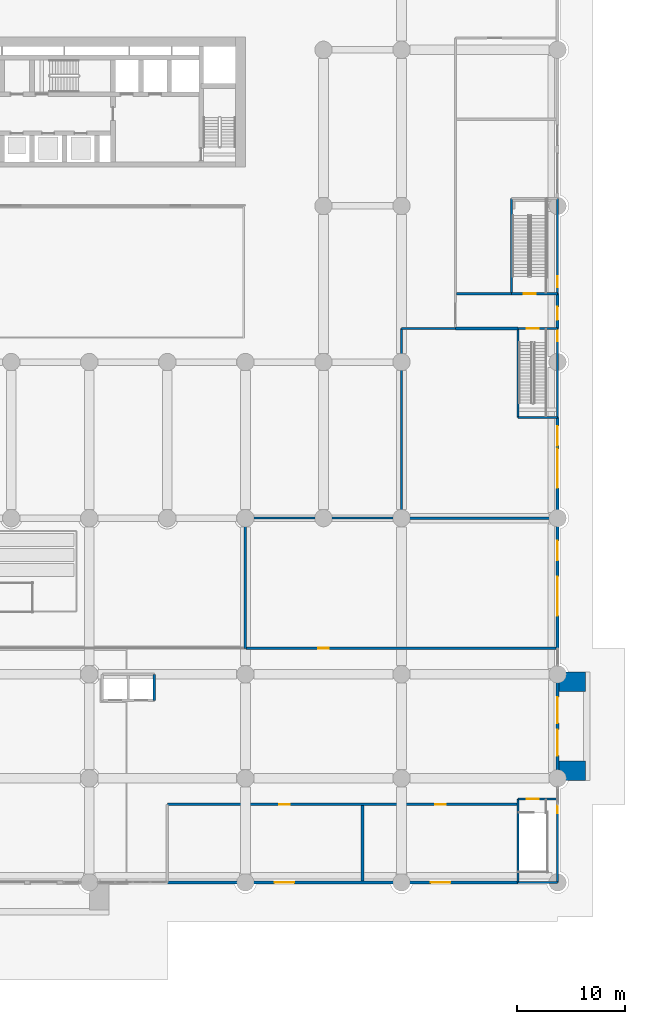
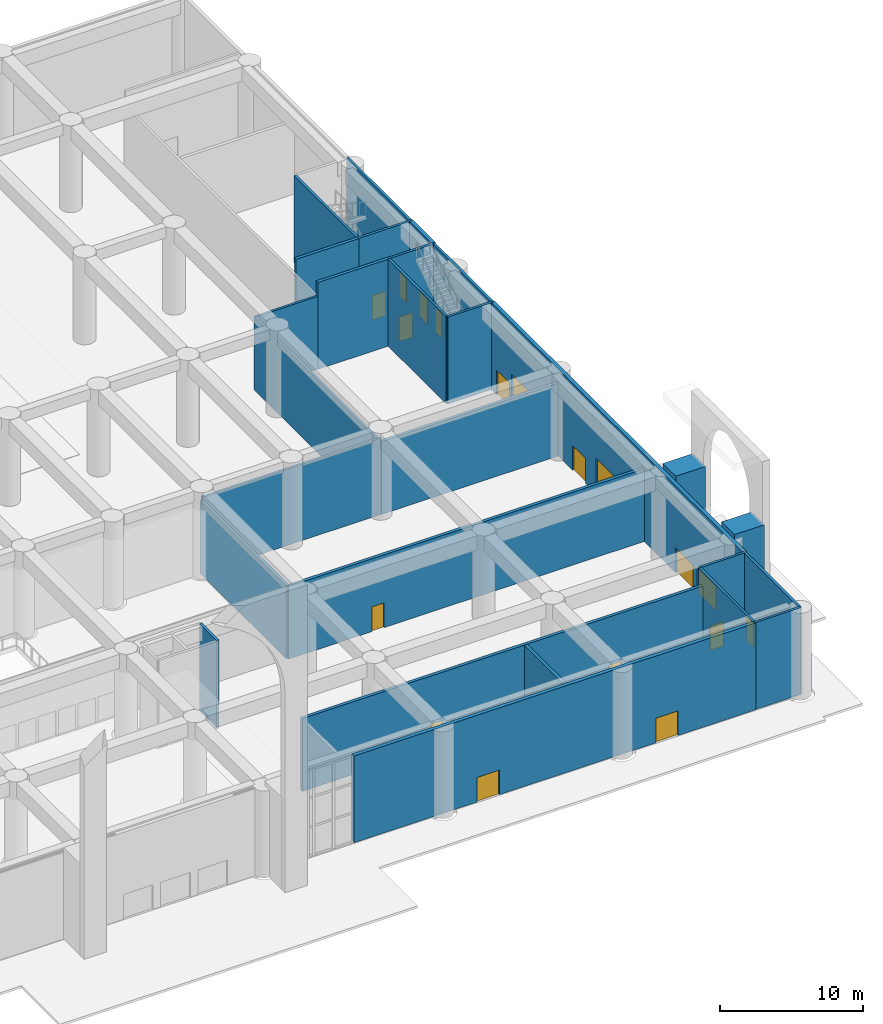
# One storey, part 16 of 32: 27 walls, 18 doors, 18 openings.
"""IFC4 building model written with IfcOpenShell, lengths in metres."""

from ifc_helpers import new_model, si_unit, direction, frame, frame_2d, origin, place, context, subcontext, project, spatial, rectangle, extrude, material, layer, layer_set, type_object, element, fill, save


model = new_model("IFC4")

# Units and contexts
model_context = context("Model", 3, precision=1e-05, world=origin(), true_north=direction((0.0, 1.0)))
body_context = subcontext(model_context, "Body", "Model", "MODEL_VIEW")
ifc_project = project(units=[si_unit("LENGTHUNIT", "METRE"), si_unit("AREAUNIT", "SQUARE_METRE"), si_unit("VOLUMEUNIT", "CUBIC_METRE"), si_unit("PLANEANGLEUNIT", "RADIAN"), si_unit("MASSUNIT", "GRAM", prefix="KILO")], contexts=[model_context])

# Site, building, storey
site_placement = place(None, origin())
site = spatial("IfcSite", under=ifc_project, at=site_placement, CompositionType="ELEMENT")
building_placement = place(site_placement, origin())
building = spatial("IfcBuilding", under=site, at=building_placement, Name="Saffron Iwan Residences", CompositionType="ELEMENT")
storey_placement = place(building_placement, origin())
storey = spatial("IfcBuildingStorey", under=building, at=storey_placement, Name="L00", CompositionType="ELEMENT", Elevation=0.0)

# Walls
ifc_material_1 = material(Name="Concrete blockwork", Category="masonry")
ifc_layer_1 = layer(ifc_material_1, 0.18994140625)
ifc_layer_set_1 = layer_set([ifc_layer_1], Name="Concrete blockwork")
wall_type_1 = type_object("IfcWallType", Name="Car park blockwork wall 190", PredefinedType="PARTITIONING", material=ifc_layer_set_1)
wall_1_placement = place(storey_placement, frame((72.0, 33.60009765625, 0.0), z_axis=(0.0, 0.0, 1.0), x_axis=(1.0, 0.0, 0.0)))
element("IfcWall", 1, at=wall_1_placement, inside=storey, type_object=wall_type_1, Name="W-L00-017", PredefinedType="PARTITIONING", context=body_context, shape_type="SweptSolid", body=[
    extrude(rectangle(XDim=14.39990234375, YDim=0.18994140625, at=frame_2d((7.199951171875, 0.0))), origin(), (0.0, 0.0, 1.0), 6.5),
])
wall_2_placement = place(storey_placement, frame((86.39990234375, 51.10009765625, 0.0), z_axis=(0.0, 0.0, 1.0), x_axis=(1.0, 0.0, 0.0)))
element("IfcWall", 2, at=wall_2_placement, inside=storey, type_object=wall_type_1, Name="W-L00-024", PredefinedType="PARTITIONING", context=body_context, shape_type="SweptSolid", body=[
    extrude(rectangle(XDim=5.0, YDim=0.18994140625, at=frame_2d((2.5, 0.0))), origin(), (0.0, 0.0, 1.0), 6.199951171875),
])
wall_3_placement = place(storey_placement, frame((86.39990234375, 33.60009765625, 0.0), z_axis=(0.0, 0.0, 1.0), x_axis=(0.0, 1.0, 0.0)))
element("IfcWall", 3, at=wall_3_placement, inside=storey, type_object=wall_type_1, Name="W-L00-075", PredefinedType="PARTITIONING", context=body_context, shape_type="SweptSolid", body=[
    extrude(rectangle(XDim=17.5, YDim=0.18994140625, at=frame_2d((8.75, 0.0))), origin(), (0.0, 0.0, 1.0), 6.199951171875),
])

# Wall, openings, doors
ifc_material_2 = material(Name="Concrete C40/50", Category="concrete")
ifc_layer_2 = layer(ifc_material_2, 0.25)
ifc_layer_set_2 = layer_set([ifc_layer_2], Name="Concrete C40/50")
wall_type_2 = type_object("IfcWallType", Name="Fire compartment wall 250", PredefinedType="SOLIDWALL", material=ifc_layer_set_2)
wall_4_placement = place(storey_placement, frame((64.800048828125, 7.199951171875, 0.0), z_axis=(0.0, 0.0, 1.0), x_axis=(1.0, 0.0, 0.0)))
wall_4 = element("IfcWall", 4, at=wall_4_placement, inside=storey, type_object=wall_type_2, Name="W-L00-006", PredefinedType="SOLIDWALL", context=body_context, shape_type="SweptSolid", body=[
    extrude(rectangle(XDim=32.25, YDim=0.25, at=frame_2d((16.125, 0.0))), origin(), (0.0, 0.0, 1.0), 6.199951171875),
])
opening_1_placement = place(wall_4_placement, frame((10.300048828125, 0.0, 0.0)))
opening_1 = element("IfcOpeningElement", 5, at=opening_1_placement, cuts=wall_4, Name="Opening L00.09", PredefinedType="OPENING", context=body_context, shape_type="SweptSolid", body=[
    extrude(rectangle(XDim=1.0, YDim=2.10009765625, at=frame_2d((0.5, 1.050048828125))), frame((0.0, 0.135009765625, 0.0), z_axis=(0.0, -1.0, 0.0), x_axis=(1.0, 0.0, 0.0)), (0.0, 0.0, 1.0), 0.27001953125),
])
opening_2_placement = place(wall_4_placement, frame((24.699951171875, 0.0, 0.0)))
opening_2 = element("IfcOpeningElement", 6, at=opening_2_placement, cuts=wall_4, Name="Opening L00.10", PredefinedType="OPENING", context=body_context, shape_type="SweptSolid", body=[
    extrude(rectangle(XDim=1.0, YDim=2.10009765625, at=frame_2d((0.5, 1.050048828125))), frame((0.0, 0.135009765625, 0.0), z_axis=(0.0, -1.0, 0.0), x_axis=(1.0, 0.0, 0.0)), (0.0, 0.0, 1.0), 0.27001953125),
])
ifc_material_3 = material(Name="Steel", Category="steel")
door_type_1 = type_object("IfcDoorType", Name="Fire door 1000x2100", OperationType="NOTDEFINED", PredefinedType="DOOR", material=ifc_material_3)
door_1_placement = place(opening_1_placement, origin())
door_1 = element("IfcDoor", 7, at=door_1_placement, inside=storey, type_object=door_type_1, Name="D-L00-009", OperationType="SINGLE_SWING_LEFT", OverallHeight=2.10009765625, OverallWidth=1.0, PredefinedType="DOOR", context=body_context, shape_type="SweptSolid", body=[
    extrude(rectangle(XDim=1.0, YDim=2.10009765625, at=frame_2d((0.5, 1.050048828125))), frame((0.0, 0.02490234375, 0.0), z_axis=(0.0, -1.0, 0.0), x_axis=(1.0, 0.0, 0.0)), (0.0, 0.0, 1.0), 0.050048828125),
])
fill(opening_1, door_1)
door_2_placement = place(opening_2_placement, origin())
door_2 = element("IfcDoor", 8, at=door_2_placement, inside=storey, type_object=door_type_1, Name="D-L00-010", OperationType="SINGLE_SWING_RIGHT", OverallHeight=2.10009765625, OverallWidth=1.0, PredefinedType="DOOR", context=body_context, shape_type="SweptSolid", body=[
    extrude(rectangle(XDim=1.0, YDim=2.10009765625, at=frame_2d((0.5, 1.050048828125))), frame((0.0, 0.02490234375, 0.0), z_axis=(0.0, -1.0, 0.0), x_axis=(1.0, 0.0, 0.0)), (0.0, 0.0, 1.0), 0.050048828125),
])
fill(opening_2, door_2)

# Wall, opening, door
wall_5_placement = place(storey_placement, frame((72.0, 21.60009765625, 0.0), z_axis=(0.0, 0.0, 1.0), x_axis=(1.0, 0.0, 0.0)))
wall_5 = element("IfcWall", 9, at=wall_5_placement, inside=storey, type_object=wall_type_2, Name="W-L00-013", PredefinedType="SOLIDWALL", context=body_context, shape_type="SweptSolid", body=[
    extrude(rectangle(XDim=28.64990234375, YDim=0.25, at=frame_2d((14.324951171875, 0.0))), origin(), (0.0, 0.0, 1.0), 6.199951171875),
])
opening_3_placement = place(wall_5_placement, frame((6.699951171875, 0.0, 0.0)))
opening_3 = element("IfcOpeningElement", 10, at=opening_3_placement, cuts=wall_5, Name="Opening L00.12", PredefinedType="OPENING", context=body_context, shape_type="SweptSolid", body=[
    extrude(rectangle(XDim=1.0, YDim=2.10009765625, at=frame_2d((0.5, 1.050048828125))), frame((0.0, 0.135009765625, 0.0), z_axis=(0.0, -1.0, 0.0), x_axis=(1.0, 0.0, 0.0)), (0.0, 0.0, 1.0), 0.27001953125),
])
door_3_placement = place(opening_3_placement, origin())
door_3 = element("IfcDoor", 11, at=door_3_placement, inside=storey, type_object=door_type_1, Name="D-L00-012", OperationType="SINGLE_SWING_LEFT", OverallHeight=2.10009765625, OverallWidth=1.0, PredefinedType="DOOR", context=body_context, shape_type="SweptSolid", body=[
    extrude(rectangle(XDim=1.0, YDim=2.10009765625, at=frame_2d((0.5, 1.050048828125))), frame((0.0, 0.02490234375, 0.0), z_axis=(0.0, -1.0, 0.0), x_axis=(1.0, 0.0, 0.0)), (0.0, 0.0, 1.0), 0.050048828125),
])
fill(opening_3, door_3)

# Walls
wall_6_placement = place(storey_placement, frame((86.39990234375, 33.60009765625, 0.0), z_axis=(0.0, 0.0, 1.0), x_axis=(1.0, 0.0, 0.0)))
element("IfcWall", 12, at=wall_6_placement, inside=storey, type_object=wall_type_2, Name="W-L00-019", PredefinedType="SOLIDWALL", context=body_context, shape_type="SweptSolid", body=[
    extrude(rectangle(XDim=14.25, YDim=0.25, at=frame_2d((7.125, 0.0))), origin(), (0.0, 0.0, 1.0), 6.199951171875),
])
wall_7_placement = place(storey_placement, frame((91.39990234375, 51.10009765625, 0.0), z_axis=(0.0, 0.0, 1.0), x_axis=(1.0, 0.0, 0.0)))
element("IfcWall", 13, at=wall_7_placement, inside=storey, type_object=wall_type_2, Name="W-L00-026", PredefinedType="SOLIDWALL", context=body_context, shape_type="SweptSolid", body=[
    extrude(rectangle(XDim=5.75, YDim=0.25, at=frame_2d((2.875, 0.0))), origin(), (0.0, 0.0, 1.0), 7.39990234375),
])
wall_8_placement = place(storey_placement, frame((91.4951171875, 54.300048828125, 0.0), z_axis=(0.0, 0.0, 1.0), x_axis=(1.0, 0.0, 0.0)))
element("IfcWall", 14, at=wall_8_placement, inside=storey, type_object=wall_type_2, Name="W-L00-031", PredefinedType="SOLIDWALL", context=body_context, shape_type="SweptSolid", body=[
    extrude(rectangle(XDim=5.054931640625, YDim=0.25, at=frame_2d((2.52734375, 0.0))), origin(), (0.0, 0.0, 1.0), 7.39990234375),
])
wall_9_placement = place(storey_placement, frame((72.0, 21.60009765625, 0.0), z_axis=(0.0, 0.0, 1.0), x_axis=(0.0, 1.0, 0.0)))
element("IfcWall", 15, at=wall_9_placement, inside=storey, type_object=wall_type_2, Name="W-L00-073", PredefinedType="SOLIDWALL", context=body_context, shape_type="SweptSolid", body=[
    extrude(rectangle(XDim=12.0, YDim=0.25, at=frame_2d((6.0, 0.0))), origin(), (0.0, 0.0, 1.0), 6.199951171875),
])
wall_10_placement = place(storey_placement, frame((82.800048828125, 0.14990234375, 0.0), z_axis=(0.0, 0.0, 1.0), x_axis=(0.0, 1.0, 0.0)))
element("IfcWall", 16, at=wall_10_placement, inside=storey, type_object=wall_type_2, Name="W-L00-074", PredefinedType="SOLIDWALL", context=body_context, shape_type="SweptSolid", body=[
    extrude(rectangle(XDim=6.925048828125, YDim=0.25, at=frame_2d((3.46240234375, 0.0))), origin(), (0.0, 0.0, 1.0), 6.199951171875),
])

# Wall, openings, doors
ifc_material_4 = material(Name="Precast concrete C40/50", Category="concrete")
ifc_layer_3 = layer(ifc_material_4, 0.300048828125)
ifc_layer_set_3 = layer_set([ifc_layer_3], Name="Precast concrete C40/50")
wall_type_3 = type_object("IfcWallType", Name="Podium external wall 300", PredefinedType="SOLIDWALL", material=ifc_layer_set_3)
wall_11_placement = place(storey_placement, frame((97.14990234375, 0.0, 0.0), z_axis=(0.0, 0.0, 1.0), x_axis=(-1.0, 0.0, 0.0)))
wall_11 = element("IfcWall", 17, at=wall_11_placement, inside=storey, type_object=wall_type_3, Name="W-L00-002", PredefinedType="SOLIDWALL", context=body_context, shape_type="SweptSolid", body=[
    extrude(rectangle(XDim=32.349853515625, YDim=0.300048828125, at=frame_2d((16.1748046875, 0.0))), origin(), (0.0, 0.0, 1.0), 7.39990234375),
])
opening_4_placement = place(wall_11_placement, frame((20.64990234375, 0.0, 0.0)))
opening_4 = element("IfcOpeningElement", 18, at=opening_4_placement, cuts=wall_11, Name="Opening L00.41", PredefinedType="OPENING", context=body_context, shape_type="SweptSolid", body=[
    extrude(rectangle(XDim=1.800048828125, YDim=2.10009765625, at=frame_2d((0.89990234375, 1.050048828125))), frame((0.0, 0.16015625, 0.0), z_axis=(0.0, -1.0, 0.0), x_axis=(1.0, 0.0, 0.0)), (0.0, 0.0, 1.0), 0.320068359375),
])
opening_5_placement = place(wall_11_placement, frame((6.25, 0.0, 0.0)))
opening_5 = element("IfcOpeningElement", 19, at=opening_5_placement, cuts=wall_11, Name="Opening L00.42", PredefinedType="OPENING", context=body_context, shape_type="SweptSolid", body=[
    extrude(rectangle(XDim=1.800048828125, YDim=2.10009765625, at=frame_2d((0.89990234375, 1.050048828125))), frame((0.0, 0.16015625, 0.0), z_axis=(0.0, -1.0, 0.0), x_axis=(1.0, 0.0, 0.0)), (0.0, 0.0, 1.0), 0.320068359375),
])
ifc_material_5 = material(Name="Glass", Category="glass")
door_type_2 = type_object("IfcDoorType", Name="Glazed entrance door 1800", OperationType="DOUBLE_DOOR_SINGLE_SWING", PredefinedType="DOOR", material=ifc_material_5)
door_4_placement = place(opening_4_placement, origin())
door_4 = element("IfcDoor", 20, at=door_4_placement, inside=storey, type_object=door_type_2, Name="D-L00-041", OperationType="DOUBLE_DOOR_SINGLE_SWING", OverallHeight=2.10009765625, OverallWidth=1.800048828125, PredefinedType="DOOR", context=body_context, shape_type="SweptSolid", body=[
    extrude(rectangle(XDim=1.800048828125, YDim=2.10009765625, at=frame_2d((0.89990234375, 1.050048828125))), frame((0.0, 0.02490234375, 0.0), z_axis=(0.0, -1.0, 0.0), x_axis=(1.0, 0.0, 0.0)), (0.0, 0.0, 1.0), 0.050048828125),
])
fill(opening_4, door_4)
door_5_placement = place(opening_5_placement, origin())
door_5 = element("IfcDoor", 21, at=door_5_placement, inside=storey, type_object=door_type_2, Name="D-L00-042", OperationType="DOUBLE_DOOR_SINGLE_SWING", OverallHeight=2.10009765625, OverallWidth=1.800048828125, PredefinedType="DOOR", context=body_context, shape_type="SweptSolid", body=[
    extrude(rectangle(XDim=1.800048828125, YDim=2.10009765625, at=frame_2d((0.89990234375, 1.050048828125))), frame((0.0, 0.02490234375, 0.0), z_axis=(0.0, -1.0, 0.0), x_axis=(1.0, 0.0, 0.0)), (0.0, 0.0, 1.0), 0.050048828125),
])
fill(opening_5, door_5)

wall_12_placement = place(storey_placement, frame((100.800048828125, 42.89990234375, 0.0), z_axis=(0.0, 0.0, 1.0), x_axis=(0.0, -1.0, 0.0)))
wall_12 = element("IfcWall", 22, at=wall_12_placement, inside=storey, type_object=wall_type_3, Name="W-L00-080", PredefinedType="SOLIDWALL", context=body_context, shape_type="SweptSolid", body=[
    extrude(rectangle(XDim=35.199951171875, YDim=0.300048828125, at=frame_2d((17.60009765625, 0.0))), origin(), (0.0, 0.0, 1.0), 7.39990234375),
])
opening_6_placement = place(wall_12_placement, frame((14.699951171875, 0.0, 0.0)))
opening_6 = element("IfcOpeningElement", 23, at=opening_6_placement, cuts=wall_12, Name="Opening L00.45", PredefinedType="OPENING", context=body_context, shape_type="SweptSolid", body=[
    extrude(rectangle(XDim=3.60009765625, YDim=3.0, at=frame_2d((1.800048828125, 1.5))), frame((0.0, 0.16015625, 0.0), z_axis=(0.0, -1.0, 0.0), x_axis=(1.0, 0.0, 0.0)), (0.0, 0.0, 1.0), 0.320068359375),
])
opening_7_placement = place(wall_12_placement, frame((11.39990234375, 0.0, 0.0)))
opening_7 = element("IfcOpeningElement", 24, at=opening_7_placement, cuts=wall_12, Name="Opening L00.46", PredefinedType="OPENING", context=body_context, shape_type="SweptSolid", body=[
    extrude(rectangle(XDim=1.800048828125, YDim=2.10009765625, at=frame_2d((0.89990234375, 1.050048828125))), frame((0.0, 0.16015625, 0.0), z_axis=(0.0, -1.0, 0.0), x_axis=(1.0, 0.0, 0.0)), (0.0, 0.0, 1.0), 0.320068359375),
])
opening_8_placement = place(wall_12_placement, frame((28.800048828125, 0.0, 0.0)))
opening_8 = element("IfcOpeningElement", 25, at=opening_8_placement, cuts=wall_12, Name="Opening L00.51", PredefinedType="OPENING", context=body_context, shape_type="SweptSolid", body=[
    extrude(rectangle(XDim=2.39990234375, YDim=2.10009765625, at=frame_2d((1.199951171875, 1.050048828125))), frame((0.0, 0.16015625, 0.0), z_axis=(0.0, -1.0, 0.0), x_axis=(1.0, 0.0, 0.0)), (0.0, 0.0, 1.0), 0.320068359375),
])
opening_9_placement = place(wall_12_placement, frame((25.800048828125, 0.0, 0.0)))
opening_9 = element("IfcOpeningElement", 26, at=opening_9_placement, cuts=wall_12, Name="Opening L00.53", PredefinedType="OPENING", context=body_context, shape_type="SweptSolid", body=[
    extrude(rectangle(XDim=2.39990234375, YDim=2.10009765625, at=frame_2d((1.199951171875, 1.050048828125))), frame((0.0, 0.16015625, 0.0), z_axis=(0.0, -1.0, 0.0), x_axis=(1.0, 0.0, 0.0)), (0.0, 0.0, 1.0), 0.320068359375),
])
opening_10_placement = place(wall_12_placement, frame((2.89990234375, 0.0, 0.0)))
opening_10 = element("IfcOpeningElement", 27, at=opening_10_placement, cuts=wall_12, Name="Opening L00.56", PredefinedType="OPENING", context=body_context, shape_type="SweptSolid", body=[
    extrude(rectangle(XDim=3.60009765625, YDim=3.0, at=frame_2d((1.800048828125, 1.5))), frame((0.0, 0.16015625, 0.0), z_axis=(0.0, -1.0, 0.0), x_axis=(1.0, 0.0, 0.0)), (0.0, 0.0, 1.0), 0.320068359375),
])
opening_11_placement = place(wall_12_placement, frame((0.800048828125, 0.0, 0.0)))
opening_11 = element("IfcOpeningElement", 28, at=opening_11_placement, cuts=wall_12, Name="Opening L00.57", PredefinedType="OPENING", context=body_context, shape_type="SweptSolid", body=[
    extrude(rectangle(XDim=1.800048828125, YDim=2.10009765625, at=frame_2d((0.89990234375, 1.050048828125))), frame((0.0, 0.16015625, 0.0), z_axis=(0.0, -1.0, 0.0), x_axis=(1.0, 0.0, 0.0)), (0.0, 0.0, 1.0), 0.320068359375),
])
door_6_placement = place(opening_7_placement, origin())
door_6 = element("IfcDoor", 29, at=door_6_placement, inside=storey, type_object=door_type_2, Name="D-L00-046", OperationType="DOUBLE_DOOR_SINGLE_SWING", OverallHeight=2.10009765625, OverallWidth=1.800048828125, PredefinedType="DOOR", context=body_context, shape_type="SweptSolid", body=[
    extrude(rectangle(XDim=1.800048828125, YDim=2.10009765625, at=frame_2d((0.89990234375, 1.050048828125))), frame((0.0, 0.02490234375, 0.0), z_axis=(0.0, -1.0, 0.0), x_axis=(1.0, 0.0, 0.0)), (0.0, 0.0, 1.0), 0.050048828125),
])
fill(opening_7, door_6)
door_7_placement = place(opening_11_placement, origin())
door_7 = element("IfcDoor", 30, at=door_7_placement, inside=storey, type_object=door_type_2, Name="D-L00-057", OperationType="DOUBLE_DOOR_SINGLE_SWING", OverallHeight=2.10009765625, OverallWidth=1.800048828125, PredefinedType="DOOR", context=body_context, shape_type="SweptSolid", body=[
    extrude(rectangle(XDim=1.800048828125, YDim=2.10009765625, at=frame_2d((0.89990234375, 1.050048828125))), frame((0.0, 0.02490234375, 0.0), z_axis=(0.0, -1.0, 0.0), x_axis=(1.0, 0.0, 0.0)), (0.0, 0.0, 1.0), 0.050048828125),
])
fill(opening_11, door_7)
door_type_3 = type_object("IfcDoorType", Name="Glazed entrance door 2400", OperationType="DOUBLE_DOOR_SINGLE_SWING", PredefinedType="DOOR", material=ifc_material_5)
door_8_placement = place(opening_8_placement, origin())
door_8 = element("IfcDoor", 31, at=door_8_placement, inside=storey, type_object=door_type_3, Name="D-L00-051", OperationType="DOUBLE_DOOR_SINGLE_SWING", OverallHeight=2.10009765625, OverallWidth=2.39990234375, PredefinedType="DOOR", context=body_context, shape_type="SweptSolid", body=[
    extrude(rectangle(XDim=2.39990234375, YDim=2.10009765625, at=frame_2d((1.199951171875, 1.050048828125))), frame((0.0, 0.02490234375, 0.0), z_axis=(0.0, -1.0, 0.0), x_axis=(1.0, 0.0, 0.0)), (0.0, 0.0, 1.0), 0.050048828125),
])
fill(opening_8, door_8)
door_9_placement = place(opening_9_placement, origin())
door_9 = element("IfcDoor", 32, at=door_9_placement, inside=storey, type_object=door_type_3, Name="D-L00-053", OperationType="DOUBLE_DOOR_SINGLE_SWING", OverallHeight=2.10009765625, OverallWidth=2.39990234375, PredefinedType="DOOR", context=body_context, shape_type="SweptSolid", body=[
    extrude(rectangle(XDim=2.39990234375, YDim=2.10009765625, at=frame_2d((1.199951171875, 1.050048828125))), frame((0.0, 0.02490234375, 0.0), z_axis=(0.0, -1.0, 0.0), x_axis=(1.0, 0.0, 0.0)), (0.0, 0.0, 1.0), 0.050048828125),
])
fill(opening_9, door_9)
door_type_4 = type_object("IfcDoorType", Name="Roller shutter 3600x3000", OperationType="ROLLINGUP", PredefinedType="DOOR", material=ifc_material_3)
door_10_placement = place(opening_6_placement, origin())
door_10 = element("IfcDoor", 33, at=door_10_placement, inside=storey, type_object=door_type_4, Name="D-L00-045", OperationType="SINGLE_SWING_RIGHT", OverallHeight=3.0, OverallWidth=3.60009765625, PredefinedType="DOOR", context=body_context, shape_type="SweptSolid", body=[
    extrude(rectangle(XDim=3.60009765625, YDim=3.0, at=frame_2d((1.800048828125, 1.5))), frame((0.0, 0.02490234375, 0.0), z_axis=(0.0, -1.0, 0.0), x_axis=(1.0, 0.0, 0.0)), (0.0, 0.0, 1.0), 0.050048828125),
])
fill(opening_6, door_10)
door_11_placement = place(opening_10_placement, origin())
door_11 = element("IfcDoor", 34, at=door_11_placement, inside=storey, type_object=door_type_4, Name="D-L00-056", OperationType="SINGLE_SWING_RIGHT", OverallHeight=3.0, OverallWidth=3.60009765625, PredefinedType="DOOR", context=body_context, shape_type="SweptSolid", body=[
    extrude(rectangle(XDim=3.60009765625, YDim=3.0, at=frame_2d((1.800048828125, 1.5))), frame((0.0, 0.02490234375, 0.0), z_axis=(0.0, -1.0, 0.0), x_axis=(1.0, 0.0, 0.0)), (0.0, 0.0, 1.0), 0.050048828125),
])
fill(opening_10, door_11)

# Wall, opening, door
wall_13_placement = place(storey_placement, frame((100.800048828125, 54.300048828125, 0.0), z_axis=(0.0, 0.0, 1.0), x_axis=(0.0, -1.0, 0.0)))
wall_13 = element("IfcWall", 35, at=wall_13_placement, inside=storey, type_object=wall_type_3, Name="W-L00-081", PredefinedType="SOLIDWALL", context=body_context, shape_type="SweptSolid", body=[
    extrude(rectangle(XDim=3.199951171875, YDim=0.300048828125, at=frame_2d((1.60009765625, 0.0))), origin(), (0.0, 0.0, 1.0), 7.39990234375),
])
opening_12_placement = place(wall_13_placement, frame((1.199951171875, 0.0, 0.0)))
opening_12 = element("IfcOpeningElement", 36, at=opening_12_placement, cuts=wall_13, Name="Opening L00.59", PredefinedType="OPENING", context=body_context, shape_type="SweptSolid", body=[
    extrude(rectangle(XDim=1.199951171875, YDim=2.10009765625, at=frame_2d((0.60009765625, 1.050048828125))), frame((0.0, 0.16015625, 0.0), z_axis=(0.0, -1.0, 0.0), x_axis=(1.0, 0.0, 0.0)), (0.0, 0.0, 1.0), 0.320068359375),
])
ifc_material_6 = material(Name="Timber", Category="wood")
door_type_5 = type_object("IfcDoorType", Name="Door 1200x2100", OperationType="NOTDEFINED", PredefinedType="DOOR", material=ifc_material_6)
door_12_placement = place(opening_12_placement, origin())
door_12 = element("IfcDoor", 37, at=door_12_placement, inside=storey, type_object=door_type_5, Name="D-L00-059", OperationType="SINGLE_SWING_RIGHT", OverallHeight=2.10009765625, OverallWidth=1.199951171875, PredefinedType="DOOR", context=body_context, shape_type="SweptSolid", body=[
    extrude(rectangle(XDim=1.199951171875, YDim=2.10009765625, at=frame_2d((0.60009765625, 1.050048828125))), frame((0.0, 0.02490234375, 0.0), z_axis=(0.0, -1.0, 0.0), x_axis=(1.0, 0.0, 0.0)), (0.0, 0.0, 1.0), 0.050048828125),
])
fill(opening_12, door_12)

# Walls
ifc_material_7 = material(Name="Terracotta coloured precast concrete C40/50", Category="masonry")
ifc_layer_4 = layer(ifc_material_7, 1.800048828125)
ifc_layer_set_4 = layer_set([ifc_layer_4], Name="Terracotta coloured precast concrete C40/50")
wall_type_4 = type_object("IfcWallType", Name="Portal pier, precast concrete 1800", PredefinedType="SOLIDWALL", material=ifc_layer_set_4)
for number, where, z_axis, x_axis, name in (
    (38, (100.949951171875, 10.300048828125, 0.0), (0.0, 0.0, 1.0), (1.0, 0.0, 0.0), "Portal pier E end S L00"),
    (39, (100.949951171875, 18.5, 0.0), (0.0, 0.0, 1.0), (1.0, 0.0, 0.0), "Portal pier E end N L00"),
):
    element("IfcWall", number, at=place(storey_placement, frame(where, z_axis=z_axis, x_axis=x_axis)), inside=storey, type_object=wall_type_4, Name=name, PredefinedType="SOLIDWALL", context=body_context, shape_type="SweptSolid", body=[
        extrude(rectangle(XDim=2.400146484375, YDim=1.800048828125, at=frame_2d((1.2001953125, 0.0))), origin(), (0.0, 0.0, 1.0), 7.800048828125),
    ])
ifc_layer_5 = layer(ifc_material_2, 0.199951171875)
ifc_layer_set_5 = layer_set([ifc_layer_5], Name="Concrete C40/50")
wall_type_5 = type_object("IfcWallType", Name="Reinforced concrete stair wall 200", PredefinedType="SOLIDWALL", material=ifc_layer_set_5)
wall_14_placement = place(storey_placement, frame((97.14990234375, 0.0, 0.0), z_axis=(0.0, 0.0, 1.0), x_axis=(1.0, 0.0, 0.0)))
element("IfcWall", 40, at=wall_14_placement, inside=storey, type_object=wall_type_5, Name="W-L00-004", PredefinedType="SOLIDWALL", context=body_context, shape_type="SweptSolid", body=[
    extrude(rectangle(XDim=3.650146484375, YDim=0.199951171875, at=frame_2d((1.8251953125, 0.0))), origin(), (0.0, 0.0, 1.0), 7.39990234375),
])

# Wall, opening, door
wall_15_placement = place(storey_placement, frame((97.14990234375, 7.699951171875, 0.0), z_axis=(0.0, 0.0, 1.0), x_axis=(1.0, 0.0, 0.0)))
wall_15 = element("IfcWall", 41, at=wall_15_placement, inside=storey, type_object=wall_type_5, Name="W-L00-008", PredefinedType="SOLIDWALL", context=body_context, shape_type="SweptSolid", body=[
    extrude(rectangle(XDim=3.650146484375, YDim=0.199951171875, at=frame_2d((1.8251953125, 0.0))), origin(), (0.0, 0.0, 1.0), 7.39990234375),
])
opening_13_placement = place(wall_15_placement, frame((0.824951171875, 0.0, 0.0)))
opening_13 = element("IfcOpeningElement", 42, at=opening_13_placement, cuts=wall_15, Name="Opening L00.34", PredefinedType="OPENING", context=body_context, shape_type="SweptSolid", body=[
    extrude(rectangle(XDim=1.10009765625, YDim=2.10009765625, at=frame_2d((0.550048828125, 1.050048828125))), frame((0.0, 0.10986328125, 0.0), z_axis=(0.0, -1.0, 0.0), x_axis=(1.0, 0.0, 0.0)), (0.0, 0.0, 1.0), 0.219970703125),
])
door_type_6 = type_object("IfcDoorType", Name="Fire door 1100x2100", OperationType="NOTDEFINED", PredefinedType="DOOR", material=ifc_material_3)
door_13_placement = place(opening_13_placement, origin())
door_13 = element("IfcDoor", 43, at=door_13_placement, inside=storey, type_object=door_type_6, Name="D-L00-034", OperationType="SINGLE_SWING_LEFT", OverallHeight=2.10009765625, OverallWidth=1.10009765625, PredefinedType="DOOR", context=body_context, shape_type="SweptSolid", body=[
    extrude(rectangle(XDim=1.10009765625, YDim=2.10009765625, at=frame_2d((0.550048828125, 1.050048828125))), frame((0.0, 0.02490234375, 0.0), z_axis=(0.0, -1.0, 0.0), x_axis=(1.0, 0.0, 0.0)), (0.0, 0.0, 1.0), 0.050048828125),
])
fill(opening_13, door_13)

# Wall
wall_16_placement = place(storey_placement, frame((97.14990234375, 42.89990234375, 0.0), z_axis=(0.0, 0.0, 1.0), x_axis=(1.0, 0.0, 0.0)))
element("IfcWall", 44, at=wall_16_placement, inside=storey, type_object=wall_type_5, Name="W-L00-022", PredefinedType="SOLIDWALL", context=body_context, shape_type="SweptSolid", body=[
    extrude(rectangle(XDim=3.650146484375, YDim=0.199951171875, at=frame_2d((1.8251953125, 0.0))), origin(), (0.0, 0.0, 1.0), 7.39990234375),
])

# Wall, opening, door
wall_17_placement = place(storey_placement, frame((97.14990234375, 51.10009765625, 0.0), z_axis=(0.0, 0.0, 1.0), x_axis=(1.0, 0.0, 0.0)))
wall_17 = element("IfcWall", 45, at=wall_17_placement, inside=storey, type_object=wall_type_5, Name="W-L00-028", PredefinedType="SOLIDWALL", context=body_context, shape_type="SweptSolid", body=[
    extrude(rectangle(XDim=3.650146484375, YDim=0.199951171875, at=frame_2d((1.8251953125, 0.0))), origin(), (0.0, 0.0, 1.0), 7.39990234375),
])
opening_14_placement = place(wall_17_placement, frame((0.824951171875, 0.0, 0.0)))
opening_14 = element("IfcOpeningElement", 46, at=opening_14_placement, cuts=wall_17, Name="Opening L00.36", PredefinedType="OPENING", context=body_context, shape_type="SweptSolid", body=[
    extrude(rectangle(XDim=1.10009765625, YDim=2.10009765625, at=frame_2d((0.550048828125, 1.050048828125))), frame((0.0, 0.10986328125, 0.0), z_axis=(0.0, -1.0, 0.0), x_axis=(1.0, 0.0, 0.0)), (0.0, 0.0, 1.0), 0.219970703125),
])
door_14_placement = place(opening_14_placement, origin())
door_14 = element("IfcDoor", 47, at=door_14_placement, inside=storey, type_object=door_type_6, Name="D-L00-036", OperationType="SINGLE_SWING_LEFT", OverallHeight=2.10009765625, OverallWidth=1.10009765625, PredefinedType="DOOR", context=body_context, shape_type="SweptSolid", body=[
    extrude(rectangle(XDim=1.10009765625, YDim=2.10009765625, at=frame_2d((0.550048828125, 1.050048828125))), frame((0.0, 0.02490234375, 0.0), z_axis=(0.0, -1.0, 0.0), x_axis=(1.0, 0.0, 0.0)), (0.0, 0.0, 1.0), 0.050048828125),
])
fill(opening_14, door_14)

wall_18_placement = place(storey_placement, frame((96.550048828125, 54.300048828125, 0.0), z_axis=(0.0, 0.0, 1.0), x_axis=(1.0, 0.0, 0.0)))
wall_18 = element("IfcWall", 48, at=wall_18_placement, inside=storey, type_object=wall_type_5, Name="W-L00-033", PredefinedType="SOLIDWALL", context=body_context, shape_type="SweptSolid", body=[
    extrude(rectangle(XDim=4.25, YDim=0.199951171875, at=frame_2d((2.125, 0.0))), origin(), (0.0, 0.0, 1.0), 7.39990234375),
])
opening_15_placement = place(wall_18_placement, frame((1.125, 0.0, 0.0)))
opening_15 = element("IfcOpeningElement", 49, at=opening_15_placement, cuts=wall_18, Name="Opening L00.38", PredefinedType="OPENING", context=body_context, shape_type="SweptSolid", body=[
    extrude(rectangle(XDim=1.10009765625, YDim=2.10009765625, at=frame_2d((0.550048828125, 1.050048828125))), frame((0.0, 0.10986328125, 0.0), z_axis=(0.0, -1.0, 0.0), x_axis=(1.0, 0.0, 0.0)), (0.0, 0.0, 1.0), 0.219970703125),
])
door_15_placement = place(opening_15_placement, origin())
door_15 = element("IfcDoor", 50, at=door_15_placement, inside=storey, type_object=door_type_6, Name="D-L00-038", OperationType="SINGLE_SWING_LEFT", OverallHeight=2.10009765625, OverallWidth=1.10009765625, PredefinedType="DOOR", context=body_context, shape_type="SweptSolid", body=[
    extrude(rectangle(XDim=1.10009765625, YDim=2.10009765625, at=frame_2d((0.550048828125, 1.050048828125))), frame((0.0, 0.02490234375, 0.0), z_axis=(0.0, -1.0, 0.0), x_axis=(1.0, 0.0, 0.0)), (0.0, 0.0, 1.0), 0.050048828125),
])
fill(opening_15, door_15)

# Walls
wall_19_placement = place(storey_placement, frame((63.60009765625, 16.800048828125, 0.0), z_axis=(0.0, 0.0, 1.0), x_axis=(0.0, 1.0, 0.0)))
element("IfcWall", 51, at=wall_19_placement, inside=storey, type_object=wall_type_5, Name="W-L00-071", PredefinedType="SOLIDWALL", context=body_context, shape_type="SweptSolid", body=[
    extrude(rectangle(XDim=2.39990234375, YDim=0.199951171875, at=frame_2d((1.199951171875, 0.0))), origin(), (0.0, 0.0, 1.0), 7.39990234375),
])
wall_20_placement = place(storey_placement, frame((96.550048828125, 54.300048828125, 0.0), z_axis=(0.0, 0.0, 1.0), x_axis=(0.0, 1.0, 0.0)))
element("IfcWall", 52, at=wall_20_placement, inside=storey, type_object=wall_type_5, Name="W-L00-077", PredefinedType="SOLIDWALL", context=body_context, shape_type="SweptSolid", body=[
    extrude(rectangle(XDim=8.800048828125, YDim=0.199951171875, at=frame_2d((4.39990234375, 0.0))), origin(), (0.0, 0.0, 1.0), 7.39990234375),
])
wall_21_placement = place(storey_placement, frame((97.14990234375, 0.0, 0.0), z_axis=(0.0, 0.0, 1.0), x_axis=(0.0, 1.0, 0.0)))
element("IfcWall", 53, at=wall_21_placement, inside=storey, type_object=wall_type_5, Name="W-L00-078", PredefinedType="SOLIDWALL", context=body_context, shape_type="SweptSolid", body=[
    extrude(rectangle(XDim=7.699951171875, YDim=0.199951171875, at=frame_2d((3.85009765625, 0.0))), origin(), (0.0, 0.0, 1.0), 7.39990234375),
])
wall_22_placement = place(storey_placement, frame((97.14990234375, 42.89990234375, 0.0), z_axis=(0.0, 0.0, 1.0), x_axis=(0.0, 1.0, 0.0)))
element("IfcWall", 54, at=wall_22_placement, inside=storey, type_object=wall_type_5, Name="W-L00-079", PredefinedType="SOLIDWALL", context=body_context, shape_type="SweptSolid", body=[
    extrude(rectangle(XDim=8.2001953125, YDim=0.199951171875, at=frame_2d((4.10009765625, 0.0))), origin(), (0.0, 0.0, 1.0), 7.39990234375),
])

# Wall, opening, door
wall_23_placement = place(storey_placement, frame((100.800048828125, 7.699951171875, 0.0), z_axis=(0.0, 0.0, 1.0), x_axis=(0.0, -1.0, 0.0)))
wall_23 = element("IfcWall", 55, at=wall_23_placement, inside=storey, type_object=wall_type_5, Name="W-L00-083", PredefinedType="SOLIDWALL", context=body_context, shape_type="SweptSolid", body=[
    extrude(rectangle(XDim=7.699951171875, YDim=0.199951171875, at=frame_2d((3.85009765625, 0.0))), origin(), (0.0, 0.0, 1.0), 7.39990234375),
])
opening_16_placement = place(wall_23_placement, frame((0.300048828125, 0.0, 0.0)))
opening_16 = element("IfcOpeningElement", 56, at=opening_16_placement, cuts=wall_23, Name="Opening L00.66", PredefinedType="OPENING", context=body_context, shape_type="SweptSolid", body=[
    extrude(rectangle(XDim=1.0, YDim=2.10009765625, at=frame_2d((0.5, 1.050048828125))), frame((0.0, 0.10986328125, 0.0), z_axis=(0.0, -1.0, 0.0), x_axis=(1.0, 0.0, 0.0)), (0.0, 0.0, 1.0), 0.219970703125),
])
door_16_placement = place(opening_16_placement, origin())
door_16 = element("IfcDoor", 57, at=door_16_placement, inside=storey, type_object=door_type_1, Name="D-L00-066", OperationType="SINGLE_SWING_LEFT", OverallHeight=2.10009765625, OverallWidth=1.0, PredefinedType="DOOR", context=body_context, shape_type="SweptSolid", body=[
    extrude(rectangle(XDim=1.0, YDim=2.10009765625, at=frame_2d((0.5, 1.050048828125))), frame((0.0, 0.02490234375, 0.0), z_axis=(0.0, -1.0, 0.0), x_axis=(1.0, 0.0, 0.0)), (0.0, 0.0, 1.0), 0.050048828125),
])
fill(opening_16, door_16)

wall_24_placement = place(storey_placement, frame((100.800048828125, 51.10009765625, 0.0), z_axis=(0.0, 0.0, 1.0), x_axis=(0.0, -1.0, 0.0)))
wall_24 = element("IfcWall", 58, at=wall_24_placement, inside=storey, type_object=wall_type_5, Name="W-L00-084", PredefinedType="SOLIDWALL", context=body_context, shape_type="SweptSolid", body=[
    extrude(rectangle(XDim=8.2001953125, YDim=0.199951171875, at=frame_2d((4.10009765625, 0.0))), origin(), (0.0, 0.0, 1.0), 7.39990234375),
])
opening_17_placement = place(wall_24_placement, frame((0.199951171875, 0.0, 0.0)))
opening_17 = element("IfcOpeningElement", 59, at=opening_17_placement, cuts=wall_24, Name="Opening L00.68", PredefinedType="OPENING", context=body_context, shape_type="SweptSolid", body=[
    extrude(rectangle(XDim=1.0, YDim=2.10009765625, at=frame_2d((0.5, 1.050048828125))), frame((0.0, 0.10986328125, 0.0), z_axis=(0.0, -1.0, 0.0), x_axis=(1.0, 0.0, 0.0)), (0.0, 0.0, 1.0), 0.219970703125),
])
door_17_placement = place(opening_17_placement, origin())
door_17 = element("IfcDoor", 60, at=door_17_placement, inside=storey, type_object=door_type_1, Name="D-L00-068", OperationType="SINGLE_SWING_LEFT", OverallHeight=2.10009765625, OverallWidth=1.0, PredefinedType="DOOR", context=body_context, shape_type="SweptSolid", body=[
    extrude(rectangle(XDim=1.0, YDim=2.10009765625, at=frame_2d((0.5, 1.050048828125))), frame((0.0, 0.02490234375, 0.0), z_axis=(0.0, -1.0, 0.0), x_axis=(1.0, 0.0, 0.0)), (0.0, 0.0, 1.0), 0.050048828125),
])
fill(opening_17, door_17)

wall_25_placement = place(storey_placement, frame((100.800048828125, 63.10009765625, 0.0), z_axis=(0.0, 0.0, 1.0), x_axis=(0.0, -1.0, 0.0)))
wall_25 = element("IfcWall", 61, at=wall_25_placement, inside=storey, type_object=wall_type_5, Name="W-L00-085", PredefinedType="SOLIDWALL", context=body_context, shape_type="SweptSolid", body=[
    extrude(rectangle(XDim=8.800048828125, YDim=0.199951171875, at=frame_2d((4.39990234375, 0.0))), origin(), (0.0, 0.0, 1.0), 7.39990234375),
])
opening_18_placement = place(wall_25_placement, frame((7.199951171875, 0.0, 0.0)))
opening_18 = element("IfcOpeningElement", 62, at=opening_18_placement, cuts=wall_25, Name="Opening L00.70", PredefinedType="OPENING", context=body_context, shape_type="SweptSolid", body=[
    extrude(rectangle(XDim=1.0, YDim=2.10009765625, at=frame_2d((0.5, 1.050048828125))), frame((0.0, 0.10986328125, 0.0), z_axis=(0.0, -1.0, 0.0), x_axis=(1.0, 0.0, 0.0)), (0.0, 0.0, 1.0), 0.219970703125),
])
door_18_placement = place(opening_18_placement, origin())
door_18 = element("IfcDoor", 63, at=door_18_placement, inside=storey, type_object=door_type_1, Name="D-L00-070", OperationType="SINGLE_SWING_RIGHT", OverallHeight=2.10009765625, OverallWidth=1.0, PredefinedType="DOOR", context=body_context, shape_type="SweptSolid", body=[
    extrude(rectangle(XDim=1.0, YDim=2.10009765625, at=frame_2d((0.5, 1.050048828125))), frame((0.0, 0.02490234375, 0.0), z_axis=(0.0, -1.0, 0.0), x_axis=(1.0, 0.0, 0.0)), (0.0, 0.0, 1.0), 0.050048828125),
])
fill(opening_18, door_18)

save(model, "model.ifc")
